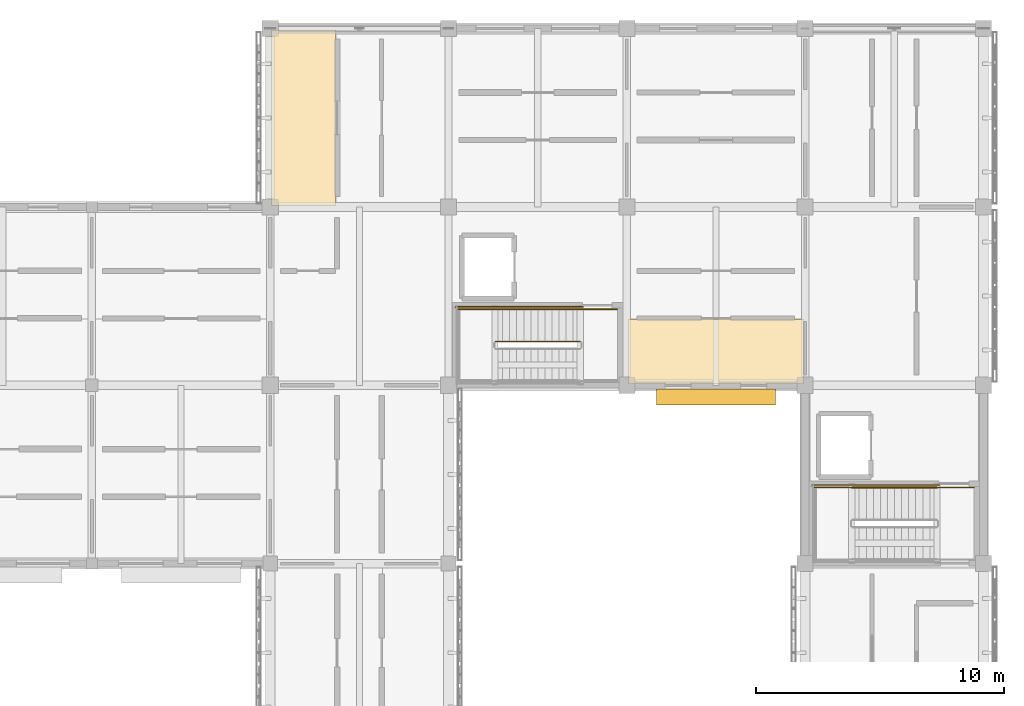
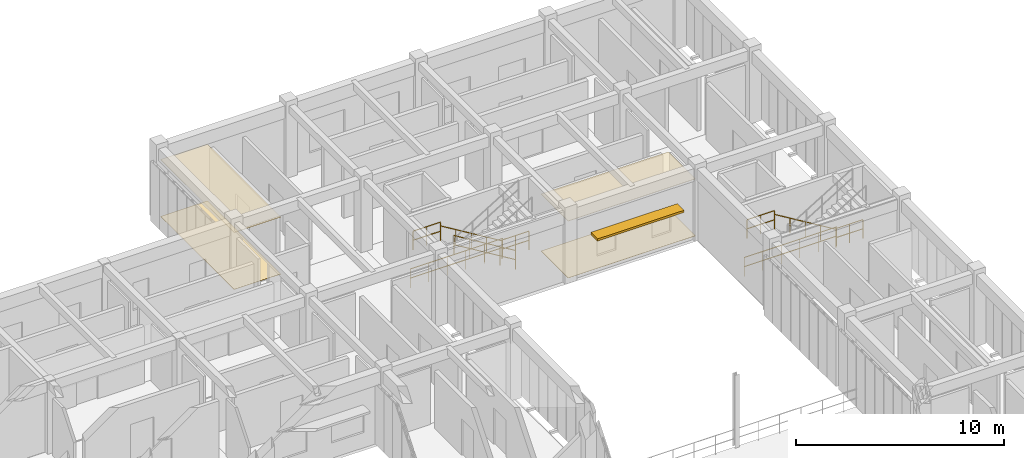
# One storey, part 171 of 171: 9 railings, 4 coverings, 1 shading device.
"""IFC4 building model written with IfcOpenShell, lengths in metres."""

from ifc_helpers import new_model, si_unit, direction, frame, origin, origin_2d, place, context, subcontext, project, spatial, polyline, rectangle, circle, outline, extrude, material, layer, layer_set, type_object, element, save


model = new_model("IFC4")

# Units and contexts
model_context = context("Model", 3, precision=1e-05, world=origin(), true_north=direction((0.0, 1.0)))
body_context = subcontext(model_context, "Body", "Model", "MODEL_VIEW")
ifc_project = project(units=[si_unit("LENGTHUNIT", "METRE"), si_unit("AREAUNIT", "SQUARE_METRE"), si_unit("VOLUMEUNIT", "CUBIC_METRE"), si_unit("PLANEANGLEUNIT", "RADIAN"), si_unit("MASSUNIT", "GRAM", prefix="KILO")], contexts=[model_context])

# Site, building, storey
site_placement = place(None, origin())
site = spatial("IfcSite", under=ifc_project, at=site_placement, CompositionType="ELEMENT")
building_placement = place(site_placement, origin())
building = spatial("IfcBuilding", under=site, at=building_placement, Name="Aldebral Square Health Centre", CompositionType="ELEMENT")
storey_placement = place(building_placement, frame((0.0, 0.0, 4.5)))
storey = spatial("IfcBuildingStorey", under=building, at=storey_placement, Name="L01", CompositionType="ELEMENT", Elevation=4.5)

# Coverings
ifc_material_1 = material(Name="Hygienic acoustic mineral ceiling tile")
ifc_layer_1 = layer(ifc_material_1, 0.02001953125, Name="Hygienic acoustic mineral ceiling tile")
ifc_layer_set_1 = layer_set([ifc_layer_1], Name="Hygienic acoustic mineral ceiling tile")
covering_type_1 = type_object("IfcCoveringType", Name="COV-CLG-AC", PredefinedType="CEILING", material=ifc_layer_set_1)
covering_1_placement = place(storey_placement, frame((0.0, 0.0, 3.340087890625)))
element("IfcCovering", 1, at=covering_1_placement, inside=storey, type_object=covering_type_1, Name="L01 Endoscopy Diagnostic Suite 20.16W acoustic ceiling", PredefinedType="CEILING", context=body_context, shape_type="SweptSolid", body=[
    extrude(outline(polyline([(136.860107421875, 108.06005859375), (139.4599609375, 108.06005859375), (139.4599609375, 115.139892578125), (136.860107421875, 115.139892578125), (136.860107421875, 108.06005859375)])), origin(), (0.0, 0.0, 1.0), 0.02001953125),
])
covering_2_placement = place(storey_placement, frame((0.0, 0.0, 3.340087890625)))
element("IfcCovering", 2, at=covering_2_placement, inside=storey, type_object=covering_type_1, Name="L01 Accessible WC 22.15S acoustic ceiling", PredefinedType="CEILING", context=body_context, shape_type="SweptSolid", body=[
    extrude(outline(polyline([(151.260009765625, 100.860107421875), (158.340087890625, 100.860107421875), (158.340087890625, 103.47998046875), (151.260009765625, 103.47998046875), (151.260009765625, 100.860107421875)])), origin(), (0.0, 0.0, 1.0), 0.02001953125),
])
ifc_material_2 = material(Name="Antimicrobial clinical vinyl flooring")
ifc_layer_2 = layer(ifc_material_2, 0.014892578125, Name="Antimicrobial clinical vinyl flooring")
ifc_layer_set_2 = layer_set([ifc_layer_2], Name="Antimicrobial clinical vinyl flooring")
covering_type_2 = type_object("IfcCoveringType", Name="COV-FLR-VN", PredefinedType="FLOORING", material=ifc_layer_set_2)
covering_3_placement = place(storey_placement, origin())
element("IfcCovering", 3, at=covering_3_placement, inside=storey, type_object=covering_type_2, Name="L01 Endoscopy Diagnostic Suite 20.16W clinical flooring", PredefinedType="FLOORING", context=body_context, shape_type="SweptSolid", body=[
    extrude(outline(polyline([(136.860107421875, 108.06005859375), (139.4599609375, 108.06005859375), (139.4599609375, 115.139892578125), (136.860107421875, 115.139892578125), (136.860107421875, 108.06005859375)])), origin(), (0.0, 0.0, 1.0), 0.014892578125),
])
covering_4_placement = place(storey_placement, origin())
element("IfcCovering", 4, at=covering_4_placement, inside=storey, type_object=covering_type_2, Name="L01 Accessible WC 22.15S clinical flooring", PredefinedType="FLOORING", context=body_context, shape_type="SweptSolid", body=[
    extrude(outline(polyline([(151.260009765625, 100.860107421875), (158.340087890625, 100.860107421875), (158.340087890625, 103.47998046875), (151.260009765625, 103.47998046875), (151.260009765625, 100.860107421875)])), origin(), (0.0, 0.0, 1.0), 0.014892578125),
])

# Railings
ifc_material_3 = material(Name="Painted steel S355JR stair guard", Category="steel")
railing_type_1 = type_object("IfcRailingType", Name="RL-ST-GRD", PredefinedType="GUARDRAIL", material=ifc_material_3)
railing_1_placement = place(storey_placement, frame((160.300048828125, 96.669921875, 2.25)))
element("IfcRailing", 5, at=railing_1_placement, inside=storey, type_object=railing_type_1, Name="L01 ST-03 stair guard 3", PredefinedType="GUARDRAIL", context=body_context, shape_type="SweptSolid", body=[
    extrude(circle(Radius=0.02392578125, at=origin_2d()), frame((0.0, 0.0, 1.09619140625), z_axis=(-1.0, 0.0, 0.0), x_axis=(0.0, -1.0, 0.0)), (0.0, 0.0, 1.0), 1.52001953125),
    extrude(circle(Radius=0.02392578125, at=origin_2d()), frame((0.0, 0.0, 0.56005859375), z_axis=(-1.0, 0.0, 0.0), x_axis=(0.0, -1.0, 0.0)), (0.0, 0.0, 1.0), 1.52001953125),
    extrude(circle(Radius=0.02099609375, at=origin_2d()), origin(), (0.0, 0.0, 1.0), 1.072021484375),
    extrude(circle(Radius=0.02099609375, at=origin_2d()), frame((-0.760009765625, 0.0, 0.0)), (0.0, 0.0, 1.0), 1.072021484375),
    extrude(circle(Radius=0.02099609375, at=origin_2d()), frame((-1.52001953125, 0.0, 0.0)), (0.0, 0.0, 1.0), 1.072021484375),
])
railing_2_placement = place(storey_placement, frame((165.219970703125, 96.669921875, 0.0)))
element("IfcRailing", 6, at=railing_2_placement, inside=storey, type_object=railing_type_1, Name="L01 ST-03 stair guard 8", PredefinedType="GUARDRAIL", context=body_context, shape_type="SweptSolid", body=[
    extrude(circle(Radius=0.02392578125, at=origin_2d()), frame((0.0, 0.0, 1.09619140625), z_axis=(-1.0, 0.0, 0.0), x_axis=(0.0, -1.0, 0.0)), (0.0, 0.0, 1.0), 1.5),
    extrude(circle(Radius=0.02392578125, at=origin_2d()), frame((0.0, 0.0, 0.56005859375), z_axis=(-1.0, 0.0, 0.0), x_axis=(0.0, -1.0, 0.0)), (0.0, 0.0, 1.0), 1.5),
    extrude(circle(Radius=0.02099609375, at=origin_2d()), origin(), (0.0, 0.0, 1.0), 1.072021484375),
    extrude(circle(Radius=0.02099609375, at=origin_2d()), frame((-0.75, 0.0, 0.0)), (0.0, 0.0, 1.0), 1.072021484375),
    extrude(circle(Radius=0.02099609375, at=origin_2d()), frame((-1.5, 0.0, 0.0)), (0.0, 0.0, 1.0), 1.072021484375),
])
railing_3_placement = place(storey_placement, frame((163.820068359375, 96.77001953125, 0.0)))
element("IfcRailing", 7, at=railing_3_placement, inside=storey, type_object=railing_type_1, Name="L01 ST-03 stair guard 10", PredefinedType="GUARDRAIL", context=body_context, shape_type="SweptSolid", body=[
    extrude(circle(Radius=0.02392578125, at=origin_2d()), frame((0.0, 0.0, 1.09619140625), z_axis=(-1.0, 0.0, 0.0), x_axis=(0.0, -1.0, 0.0)), (0.0, 0.0, 1.0), 5.14013671875),
    extrude(circle(Radius=0.02392578125, at=origin_2d()), frame((0.0, 0.0, 0.56005859375), z_axis=(-1.0, 0.0, 0.0), x_axis=(0.0, -1.0, 0.0)), (0.0, 0.0, 1.0), 5.14013671875),
    extrude(circle(Radius=0.02099609375, at=origin_2d()), origin(), (0.0, 0.0, 1.0), 1.072021484375),
    extrude(circle(Radius=0.02099609375, at=origin_2d()), frame((-1.028076171875, 0.0, 0.0)), (0.0, 0.0, 1.0), 1.072021484375),
    extrude(circle(Radius=0.02099609375, at=origin_2d()), frame((-2.05615234375, 0.0, 0.0)), (0.0, 0.0, 1.0), 1.072021484375),
    extrude(circle(Radius=0.02099609375, at=origin_2d()), frame((-3.083984375, 0.0, 0.0)), (0.0, 0.0, 1.0), 1.072021484375),
    extrude(circle(Radius=0.02099609375, at=origin_2d()), frame((-4.112060546875, 0.0, 0.0)), (0.0, 0.0, 1.0), 1.072021484375),
    extrude(circle(Radius=0.02099609375, at=origin_2d()), frame((-5.14013671875, 0.0, 0.0)), (0.0, 0.0, 1.0), 1.072021484375),
])
railing_4_placement = place(storey_placement, frame((149.320068359375, 102.570068359375, 0.173095703125)))
element("IfcRailing", 8, at=railing_4_placement, inside=storey, type_object=railing_type_1, Name="L01 ST-04 stair guard 1", PredefinedType="GUARDRAIL", context=body_context, shape_type="SweptSolid", body=[
    extrude(circle(Radius=0.02392578125, at=origin_2d()), frame((0.0, 0.0, 1.09619140625), z_axis=(-0.854745945586, 0.0, 0.519046595696), x_axis=(0.0, -1.0, 0.0)), (0.0, 0.0, 1.0), 4.00146484375),
    extrude(circle(Radius=0.02392578125, at=origin_2d()), frame((0.0, 0.0, 0.56005859375), z_axis=(-0.854745945586, 0.0, 0.519046595696), x_axis=(0.0, -1.0, 0.0)), (0.0, 0.0, 1.0), 4.00146484375),
    extrude(circle(Radius=0.02099609375, at=origin_2d()), origin(), (0.0, 0.0, 1.0), 1.072021484375),
    extrude(circle(Radius=0.02099609375, at=origin_2d()), frame((-0.85498046875, 0.0, 0.519287109375)), (0.0, 0.0, 1.0), 1.072021484375),
    extrude(circle(Radius=0.02099609375, at=origin_2d()), frame((-1.7099609375, 0.0, 1.03857421875)), (0.0, 0.0, 1.0), 1.072021484375),
    extrude(circle(Radius=0.02099609375, at=origin_2d()), frame((-2.565185546875, 0.0, 1.5576171875)), (0.0, 0.0, 1.0), 1.072021484375),
    extrude(circle(Radius=0.02099609375, at=origin_2d()), frame((-3.420166015625, 0.0, 2.076904296875)), (0.0, 0.0, 1.0), 1.072021484375),
])
railing_5_placement = place(storey_placement, frame((145.89990234375, 103.8701171875, 2.25)))
element("IfcRailing", 9, at=railing_5_placement, inside=storey, type_object=railing_type_1, Name="L01 ST-04 stair guard 3", PredefinedType="GUARDRAIL", context=body_context, shape_type="SweptSolid", body=[
    extrude(circle(Radius=0.02392578125, at=origin_2d()), frame((0.0, 0.0, 1.09619140625), z_axis=(-1.0, 0.0, 0.0), x_axis=(0.0, -1.0, 0.0)), (0.0, 0.0, 1.0), 1.52001953125),
    extrude(circle(Radius=0.02392578125, at=origin_2d()), frame((0.0, 0.0, 0.56005859375), z_axis=(-1.0, 0.0, 0.0), x_axis=(0.0, -1.0, 0.0)), (0.0, 0.0, 1.0), 1.52001953125),
    extrude(circle(Radius=0.02099609375, at=origin_2d()), origin(), (0.0, 0.0, 1.0), 1.072021484375),
    extrude(circle(Radius=0.02099609375, at=origin_2d()), frame((-0.760009765625, 0.0, 0.0)), (0.0, 0.0, 1.0), 1.072021484375),
    extrude(circle(Radius=0.02099609375, at=origin_2d()), frame((-1.52001953125, 0.0, 0.0)), (0.0, 0.0, 1.0), 1.072021484375),
])
railing_6_placement = place(storey_placement, frame((150.820068359375, 103.8701171875, 0.0)))
element("IfcRailing", 10, at=railing_6_placement, inside=storey, type_object=railing_type_1, Name="L01 ST-04 stair guard 8", PredefinedType="GUARDRAIL", context=body_context, shape_type="SweptSolid", body=[
    extrude(circle(Radius=0.02392578125, at=origin_2d()), frame((0.0, 0.0, 1.09619140625), z_axis=(-1.0, 0.0, 0.0), x_axis=(0.0, -1.0, 0.0)), (0.0, 0.0, 1.0), 1.5),
    extrude(circle(Radius=0.02392578125, at=origin_2d()), frame((0.0, 0.0, 0.56005859375), z_axis=(-1.0, 0.0, 0.0), x_axis=(0.0, -1.0, 0.0)), (0.0, 0.0, 1.0), 1.5),
    extrude(circle(Radius=0.02099609375, at=origin_2d()), origin(), (0.0, 0.0, 1.0), 1.072021484375),
    extrude(circle(Radius=0.02099609375, at=origin_2d()), frame((-0.75, 0.0, 0.0)), (0.0, 0.0, 1.0), 1.072021484375),
    extrude(circle(Radius=0.02099609375, at=origin_2d()), frame((-1.5, 0.0, 0.0)), (0.0, 0.0, 1.0), 1.072021484375),
])
railing_7_placement = place(storey_placement, frame((149.419921875, 103.969970703125, 0.0)))
element("IfcRailing", 11, at=railing_7_placement, inside=storey, type_object=railing_type_1, Name="L01 ST-04 stair guard 10", PredefinedType="GUARDRAIL", context=body_context, shape_type="SweptSolid", body=[
    extrude(circle(Radius=0.02392578125, at=origin_2d()), frame((0.0, 0.0, 1.09619140625), z_axis=(-1.0, 0.0, 0.0), x_axis=(0.0, -1.0, 0.0)), (0.0, 0.0, 1.0), 5.139892578125),
    extrude(circle(Radius=0.02392578125, at=origin_2d()), frame((0.0, 0.0, 0.56005859375), z_axis=(-1.0, 0.0, 0.0), x_axis=(0.0, -1.0, 0.0)), (0.0, 0.0, 1.0), 5.139892578125),
    extrude(circle(Radius=0.02099609375, at=origin_2d()), origin(), (0.0, 0.0, 1.0), 1.072021484375),
    extrude(circle(Radius=0.02099609375, at=origin_2d()), frame((-1.028076171875, 0.0, 0.0)), (0.0, 0.0, 1.0), 1.072021484375),
    extrude(circle(Radius=0.02099609375, at=origin_2d()), frame((-2.055908203125, 0.0, 0.0)), (0.0, 0.0, 1.0), 1.072021484375),
    extrude(circle(Radius=0.02099609375, at=origin_2d()), frame((-3.083984375, 0.0, 0.0)), (0.0, 0.0, 1.0), 1.072021484375),
    extrude(circle(Radius=0.02099609375, at=origin_2d()), frame((-4.11181640625, 0.0, 0.0)), (0.0, 0.0, 1.0), 1.072021484375),
    extrude(circle(Radius=0.02099609375, at=origin_2d()), frame((-5.139892578125, 0.0, 0.0)), (0.0, 0.0, 1.0), 1.072021484375),
])
ifc_material_4 = material(Name="Brushed stainless steel handrail", Category="steel")
railing_type_2 = type_object("IfcRailingType", Name="RL-ST-HND", PredefinedType="HANDRAIL", material=ifc_material_4)
railing_8_placement = place(storey_placement, frame((163.719970703125, 96.669921875, 0.173095703125)))
element("IfcRailing", 12, at=railing_8_placement, inside=storey, type_object=railing_type_2, Name="L01 ST-03 stair handrail 1", PredefinedType="HANDRAIL", context=body_context, shape_type="SweptSolid", body=[
    extrude(circle(Radius=0.02392578125, at=origin_2d()), frame((0.0, 0.0, 0.8759765625), z_axis=(-0.854729506542, 0.0, 0.519073665916), x_axis=(0.0, -1.0, 0.0)), (0.0, 0.0, 1.0), 4.001220703125),
    extrude(circle(Radius=0.02099609375, at=origin_2d()), origin(), (0.0, 0.0, 1.0), 0.851806640625),
    extrude(circle(Radius=0.02099609375, at=origin_2d()), frame((-0.85498046875, 0.0, 0.519287109375)), (0.0, 0.0, 1.0), 0.851806640625),
    extrude(circle(Radius=0.02099609375, at=origin_2d()), frame((-1.7099609375, 0.0, 1.03857421875)), (0.0, 0.0, 1.0), 0.851806640625),
    extrude(circle(Radius=0.02099609375, at=origin_2d()), frame((-2.56494140625, 0.0, 1.5576171875)), (0.0, 0.0, 1.0), 0.851806640625),
    extrude(circle(Radius=0.02099609375, at=origin_2d()), frame((-3.419921875, 0.0, 2.076904296875)), (0.0, 0.0, 1.0), 0.851806640625),
])
railing_9_placement = place(storey_placement, frame((149.320068359375, 103.8701171875, 0.173095703125)))
element("IfcRailing", 13, at=railing_9_placement, inside=storey, type_object=railing_type_2, Name="L01 ST-04 stair handrail 1", PredefinedType="HANDRAIL", context=body_context, shape_type="SweptSolid", body=[
    extrude(circle(Radius=0.02392578125, at=origin_2d()), frame((0.0, 0.0, 0.8759765625), z_axis=(-0.854745945586, 0.0, 0.519046595696), x_axis=(0.0, -1.0, 0.0)), (0.0, 0.0, 1.0), 4.00146484375),
    extrude(circle(Radius=0.02099609375, at=origin_2d()), origin(), (0.0, 0.0, 1.0), 0.851806640625),
    extrude(circle(Radius=0.02099609375, at=origin_2d()), frame((-0.85498046875, 0.0, 0.519287109375)), (0.0, 0.0, 1.0), 0.851806640625),
    extrude(circle(Radius=0.02099609375, at=origin_2d()), frame((-1.7099609375, 0.0, 1.03857421875)), (0.0, 0.0, 1.0), 0.851806640625),
    extrude(circle(Radius=0.02099609375, at=origin_2d()), frame((-2.565185546875, 0.0, 1.5576171875)), (0.0, 0.0, 1.0), 0.851806640625),
    extrude(circle(Radius=0.02099609375, at=origin_2d()), frame((-3.420166015625, 0.0, 2.076904296875)), (0.0, 0.0, 1.0), 0.851806640625),
])

# Shading device
ifc_material_5 = material(Name="Sienna-terracotta solar hood", Category="masonry")
shading_device_type = type_object("IfcShadingDeviceType", Name="SHD-LVR-1", PredefinedType="JALOUSIE", material=ifc_material_5)
shading_device_placement = place(storey_placement, frame((154.800048828125, 100.3349609375, 2.300048828125), z_axis=(0.0, 0.0, 1.0), x_axis=(1.0, 0.0, 0.0)))
element("IfcShadingDevice", 14, at=shading_device_placement, inside=storey, type_object=shading_device_type, Name="L01 solar hood L01-V5-21-14-S", PredefinedType="JALOUSIE", context=body_context, shape_type="SweptSolid", body=[
    extrude(rectangle(XDim=4.800048828125, YDim=0.64990234375, at=origin_2d()), origin(), (0.0, 0.0, 1.0), 0.1201171875),
])

save(model, "model.ifc")
